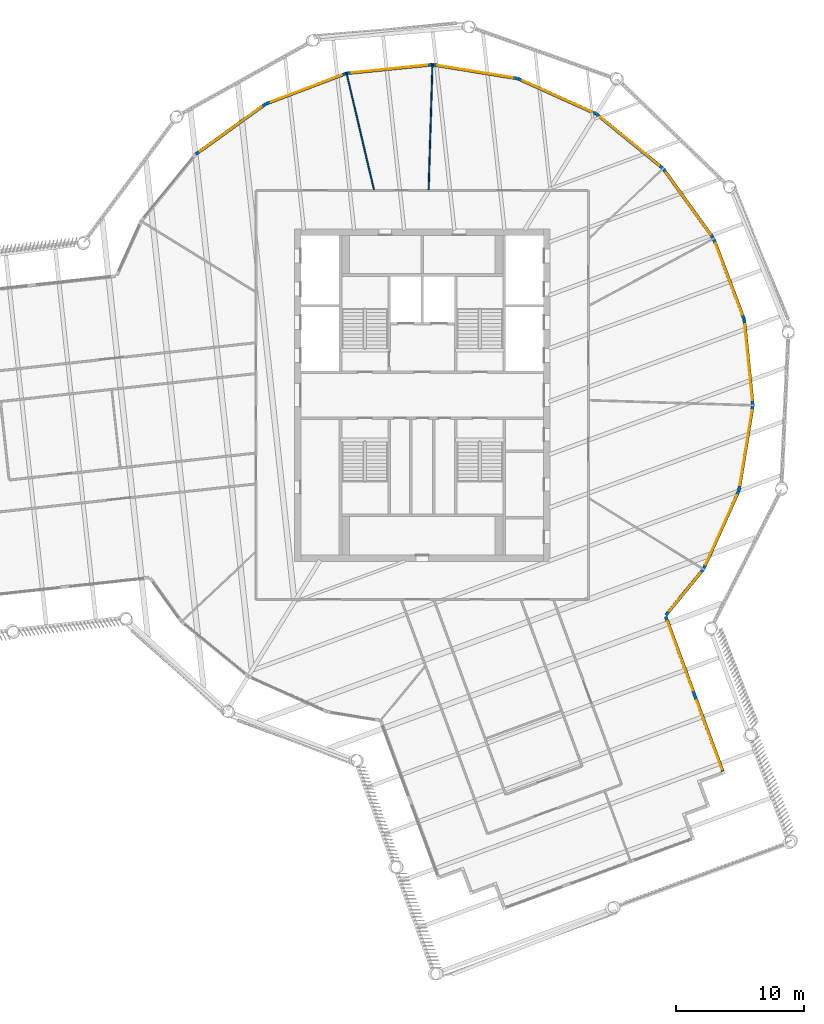
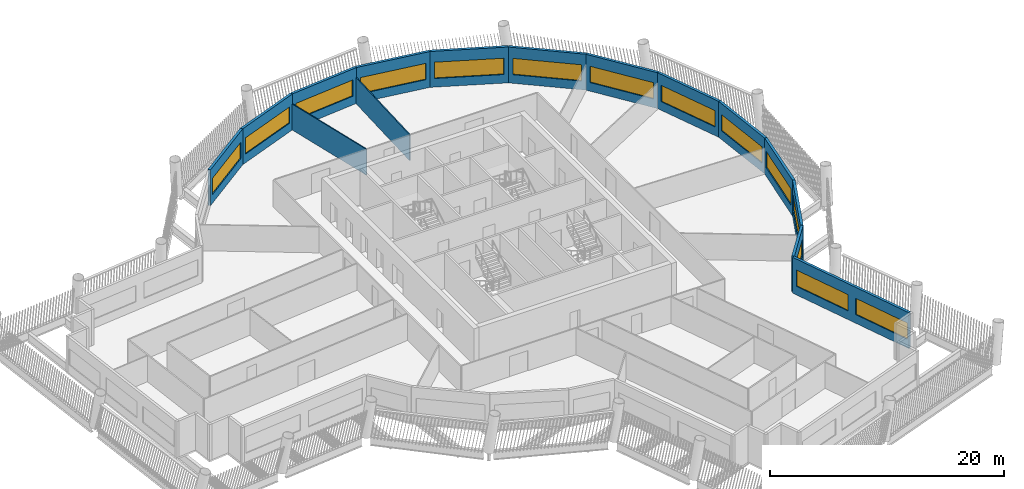
# One storey, part 6 of 14: 15 walls, 14 windows, 14 openings.
"""IFC4 building model written with IfcOpenShell, lengths in metres."""

from ifc_helpers import new_model, si_unit, direction, frame, frame_2d, origin, place, context, subcontext, project, spatial, rectangle, extrude, material, layer, layer_set, type_object, element, fill, save


model = new_model("IFC4")

# Units and contexts
model_context = context("Model", 3, precision=1e-05, world=origin(), true_north=direction((0.0, 1.0)))
body_context = subcontext(model_context, "Body", "Model", "MODEL_VIEW")
ifc_project = project(units=[si_unit("LENGTHUNIT", "METRE"), si_unit("AREAUNIT", "SQUARE_METRE"), si_unit("VOLUMEUNIT", "CUBIC_METRE"), si_unit("PLANEANGLEUNIT", "RADIAN"), si_unit("MASSUNIT", "GRAM", prefix="KILO")], contexts=[model_context])

# Site, building, storey
site_placement = place(None, origin())
site = spatial("IfcSite", under=ifc_project, at=site_placement, CompositionType="ELEMENT")
building_placement = place(site_placement, origin())
building = spatial("IfcBuilding", under=site, at=building_placement, Name="Tarsis Ring Headquarters", CompositionType="ELEMENT")
storey_placement = place(building_placement, frame((0.0, 0.0, 311.89990234375)))
storey = spatial("IfcBuildingStorey", under=building, at=storey_placement, Name="L73", CompositionType="ELEMENT", Elevation=311.89990234375)

# Walls
ifc_material_1 = material(Name="Gypsum board on steel studs", Category="steel")
ifc_layer_1 = layer(ifc_material_1, 0.10009765625)
ifc_layer_set_1 = layer_set([ifc_layer_1], Name="FL partition 100 unrated")
wall_type_1 = type_object("IfcWallType", Name="FL partition 100 unrated", PredefinedType="PARTITIONING", material=ifc_layer_set_1)
wall_1_placement = place(storey_placement, frame((0.493896484375, 16.070068359375, 0.0), z_axis=(0.0, 0.0, 1.0), x_axis=(0.030696507714, 0.999528751169, 0.0)))
element("IfcWall", 1, at=wall_1_placement, inside=storey, type_object=wall_type_1, Name="Partition PW3", PredefinedType="PARTITIONING", context=body_context, shape_type="SweptSolid", body=[
    extrude(rectangle(XDim=9.8701171875, YDim=0.10009765625, at=frame_2d((4.93505859375, 0.0))), origin(), (0.0, 0.0, 1.0), 2.7001953125),
])
wall_2_placement = place(storey_placement, frame((-5.94287109375, 25.258056640625, 0.0), z_axis=(0.0, 0.0, 1.0), x_axis=(0.229040775095, -0.973416829187, 0.0)))
element("IfcWall", 2, at=wall_2_placement, inside=storey, type_object=wall_type_1, Name="Partition PW3", PredefinedType="PARTITIONING", context=body_context, shape_type="SweptSolid", body=[
    extrude(rectangle(XDim=9.44091796875, YDim=0.10009765625, at=frame_2d((4.720458984375, 0.0))), origin(), (0.0, 0.0, 1.0), 2.7001953125),
])

# Wall, openings, windows
ifc_material_2 = material(Name="Terracotta clad insulated panel wall", Category="masonry")
ifc_layer_2 = layer(ifc_material_2, 0.25)
ifc_layer_set_2 = layer_set([ifc_layer_2], Name="Facade wall terracotta panel 250")
wall_type_2 = type_object("IfcWallType", Name="Facade wall terracotta panel 250", PredefinedType="STANDARD", material=ifc_layer_set_2)
wall_3_placement = place(storey_placement, frame((23.509521484375, -29.434326171875, 0.0), z_axis=(0.0, 0.0, 1.0), x_axis=(-0.345943878394, 0.938255206754, 0.0)))
wall_3 = element("IfcWall", 3, at=wall_3_placement, inside=storey, type_object=wall_type_2, Name="External wall L73-16", PredefinedType="STANDARD", context=body_context, shape_type="SweptSolid", body=[
    extrude(rectangle(XDim=12.9013671875, YDim=0.25, at=frame_2d((6.45068359375, 0.0))), origin(), (0.0, 0.0, 1.0), 3.739990234375),
])
opening_1_placement = place(wall_3_placement, frame((0.162841796875, 0.0, 0.89990234375)))
opening_1 = element("IfcOpeningElement", 4, at=opening_1_placement, cuts=wall_3, Name="Opening WN06", PredefinedType="OPENING", context=body_context, shape_type="SweptSolid", body=[
    extrude(rectangle(XDim=5.75, YDim=1.699951171875, at=frame_2d((2.875, 0.85009765625))), frame((0.0, 0.135009765625, 0.0), z_axis=(0.0, -1.0, 0.0), x_axis=(1.0, 0.0, 0.0)), (0.0, 0.0, 1.0), 0.27001953125),
])
opening_2_placement = place(wall_3_placement, frame((6.738525390625, 0.0, 0.89990234375)))
opening_2 = element("IfcOpeningElement", 5, at=opening_2_placement, cuts=wall_3, Name="Opening WN06", PredefinedType="OPENING", context=body_context, shape_type="SweptSolid", body=[
    extrude(rectangle(XDim=5.75, YDim=1.699951171875, at=frame_2d((2.875, 0.85009765625))), frame((0.0, 0.135009765625, 0.0), z_axis=(0.0, -1.0, 0.0), x_axis=(1.0, 0.0, 0.0)), (0.0, 0.0, 1.0), 0.27001953125),
])
ifc_material_3 = material(Name="Aluminium framed double glazing", Category="aluminium")
window_type_1 = type_object("IfcWindowType", Name="Facade window 5750 x 1700", PartitioningType="SINGLE_PANEL", PredefinedType="WINDOW", material=ifc_material_3)
window_1_placement = place(opening_1_placement, origin())
window_1 = element("IfcWindow", 6, at=window_1_placement, inside=storey, type_object=window_type_1, Name="Window L73-16.1", OverallHeight=1.699951171875, OverallWidth=5.75, PartitioningType="SINGLE_PANEL", PredefinedType="WINDOW", context=body_context, shape_type="SweptSolid", body=[
    extrude(rectangle(XDim=5.75, YDim=1.699951171875, at=frame_2d((2.875, 0.85009765625))), frame((0.0, 0.030029296875, 0.0), z_axis=(0.0, -1.0, 0.0), x_axis=(1.0, 0.0, 0.0)), (0.0, 0.0, 1.0), 0.06005859375),
])
fill(opening_1, window_1)
window_2_placement = place(opening_2_placement, origin())
window_2 = element("IfcWindow", 7, at=window_2_placement, inside=storey, type_object=window_type_1, Name="Window L73-16.2", OverallHeight=1.699951171875, OverallWidth=5.75, PartitioningType="SINGLE_PANEL", PredefinedType="WINDOW", context=body_context, shape_type="SweptSolid", body=[
    extrude(rectangle(XDim=5.75, YDim=1.699951171875, at=frame_2d((2.875, 0.85009765625))), frame((0.0, 0.030029296875, 0.0), z_axis=(0.0, -1.0, 0.0), x_axis=(1.0, 0.0, 0.0)), (0.0, 0.0, 1.0), 0.06005859375),
])
fill(opening_2, window_2)

# Wall, opening, window
wall_4_placement = place(storey_placement, frame((19.06689453125, -17.207275390625, 0.0), z_axis=(0.0, 0.0, 1.0), x_axis=(0.632849040374, 0.774275204367, 0.0)))
wall_4 = element("IfcWall", 8, at=wall_4_placement, inside=storey, type_object=wall_type_2, Name="External wall L73-17", PredefinedType="STANDARD", context=body_context, shape_type="SweptSolid", body=[
    extrude(rectangle(XDim=4.61767578125, YDim=0.25, at=frame_2d((2.308837890625, 0.0))), origin(), (0.0, 0.0, 1.0), 3.739990234375),
])
opening_3_placement = place(wall_4_placement, frame((0.400390625, 0.0, 0.89990234375)))
opening_3 = element("IfcOpeningElement", 9, at=opening_3_placement, cuts=wall_4, Name="Opening WN02", PredefinedType="OPENING", context=body_context, shape_type="SweptSolid", body=[
    extrude(rectangle(XDim=3.85009765625, YDim=1.699951171875, at=frame_2d((1.925048828125, 0.85009765625))), frame((0.0, 0.135009765625, 0.0), z_axis=(0.0, -1.0, 0.0), x_axis=(1.0, 0.0, 0.0)), (0.0, 0.0, 1.0), 0.27001953125),
])
window_type_2 = type_object("IfcWindowType", Name="Facade window 3850 x 1700", PartitioningType="SINGLE_PANEL", PredefinedType="WINDOW", material=ifc_material_3)
window_3_placement = place(opening_3_placement, origin())
window_3 = element("IfcWindow", 10, at=window_3_placement, inside=storey, type_object=window_type_2, Name="Window L73-17.1", OverallHeight=1.699951171875, OverallWidth=3.85009765625, PartitioningType="SINGLE_PANEL", PredefinedType="WINDOW", context=body_context, shape_type="SweptSolid", body=[
    extrude(rectangle(XDim=3.85009765625, YDim=1.699951171875, at=frame_2d((1.925048828125, 0.85009765625))), frame((0.0, 0.030029296875, 0.0), z_axis=(0.0, -1.0, 0.0), x_axis=(1.0, 0.0, 0.0)), (0.0, 0.0, 1.0), 0.06005859375),
])
fill(opening_3, window_3)

wall_5_placement = place(storey_placement, frame((22.00634765625, -13.60400390625, 0.0), z_axis=(0.0, 0.0, 1.0), x_axis=(0.410878108718, 0.911690287201, 0.0)))
wall_5 = element("IfcWall", 11, at=wall_5_placement, inside=storey, type_object=wall_type_2, Name="External wall L73-18", PredefinedType="STANDARD", context=body_context, shape_type="SweptSolid", body=[
    extrude(rectangle(XDim=6.721435546875, YDim=0.25, at=frame_2d((3.36083984375, 0.0))), origin(), (0.0, 0.0, 1.0), 3.739990234375),
])
opening_4_placement = place(wall_5_placement, frame((0.3857421875, 0.0, 0.89990234375)))
opening_4 = element("IfcOpeningElement", 12, at=opening_4_placement, cuts=wall_5, Name="Opening WN07", PredefinedType="OPENING", context=body_context, shape_type="SweptSolid", body=[
    extrude(rectangle(XDim=5.949951171875, YDim=1.699951171875, at=frame_2d((2.97509765625, 0.85009765625))), frame((0.0, 0.135009765625, 0.0), z_axis=(0.0, -1.0, 0.0), x_axis=(1.0, 0.0, 0.0)), (0.0, 0.0, 1.0), 0.27001953125),
])
window_type_3 = type_object("IfcWindowType", Name="Facade window 5950 x 1700", PartitioningType="SINGLE_PANEL", PredefinedType="WINDOW", material=ifc_material_3)
window_4_placement = place(opening_4_placement, origin())
window_4 = element("IfcWindow", 13, at=window_4_placement, inside=storey, type_object=window_type_3, Name="Window L73-18.1", OverallHeight=1.699951171875, OverallWidth=5.949951171875, PartitioningType="SINGLE_PANEL", PredefinedType="WINDOW", context=body_context, shape_type="SweptSolid", body=[
    extrude(rectangle(XDim=5.949951171875, YDim=1.699951171875, at=frame_2d((2.97509765625, 0.85009765625))), frame((0.0, 0.030029296875, 0.0), z_axis=(0.0, -1.0, 0.0), x_axis=(1.0, 0.0, 0.0)), (0.0, 0.0, 1.0), 0.06005859375),
])
fill(opening_4, window_4)

wall_6_placement = place(storey_placement, frame((24.777587890625, -7.44482421875, 0.0), z_axis=(0.0, 0.0, 1.0), x_axis=(0.160905182337, 0.986969868992, 0.0)))
wall_6 = element("IfcWall", 14, at=wall_6_placement, inside=storey, type_object=wall_type_2, Name="External wall L73-19", PredefinedType="STANDARD", context=body_context, shape_type="SweptSolid", body=[
    extrude(rectangle(XDim=6.7216796875, YDim=0.25, at=frame_2d((3.36083984375, 0.0))), origin(), (0.0, 0.0, 1.0), 3.739990234375),
])
opening_5_placement = place(wall_6_placement, frame((0.3857421875, 0.0, 0.89990234375)))
opening_5 = element("IfcOpeningElement", 15, at=opening_5_placement, cuts=wall_6, Name="Opening WN07", PredefinedType="OPENING", context=body_context, shape_type="SweptSolid", body=[
    extrude(rectangle(XDim=5.949951171875, YDim=1.699951171875, at=frame_2d((2.97509765625, 0.85009765625))), frame((0.0, 0.135009765625, 0.0), z_axis=(0.0, -1.0, 0.0), x_axis=(1.0, 0.0, 0.0)), (0.0, 0.0, 1.0), 0.27001953125),
])
window_5_placement = place(opening_5_placement, origin())
window_5 = element("IfcWindow", 16, at=window_5_placement, inside=storey, type_object=window_type_3, Name="Window L73-19.1", OverallHeight=1.699951171875, OverallWidth=5.949951171875, PartitioningType="SINGLE_PANEL", PredefinedType="WINDOW", context=body_context, shape_type="SweptSolid", body=[
    extrude(rectangle(XDim=5.949951171875, YDim=1.699951171875, at=frame_2d((2.97509765625, 0.85009765625))), frame((0.0, 0.030029296875, 0.0), z_axis=(0.0, -1.0, 0.0), x_axis=(1.0, 0.0, 0.0)), (0.0, 0.0, 1.0), 0.06005859375),
])
fill(opening_5, window_5)

wall_7_placement = place(storey_placement, frame((25.860107421875, -0.7783203125, 0.0), z_axis=(0.0, 0.0, 1.0), x_axis=(-0.100032360217, 0.994984184251, 0.0)))
wall_7 = element("IfcWall", 17, at=wall_7_placement, inside=storey, type_object=wall_type_2, Name="External wall L73-20", PredefinedType="STANDARD", context=body_context, shape_type="SweptSolid", body=[
    extrude(rectangle(XDim=6.721435546875, YDim=0.25, at=frame_2d((3.36083984375, 0.0))), origin(), (0.0, 0.0, 1.0), 3.739990234375),
])
opening_6_placement = place(wall_7_placement, frame((0.3857421875, 0.0, 0.89990234375)))
opening_6 = element("IfcOpeningElement", 18, at=opening_6_placement, cuts=wall_7, Name="Opening WN07", PredefinedType="OPENING", context=body_context, shape_type="SweptSolid", body=[
    extrude(rectangle(XDim=5.949951171875, YDim=1.699951171875, at=frame_2d((2.97509765625, 0.85009765625))), frame((0.0, 0.135009765625, 0.0), z_axis=(0.0, -1.0, 0.0), x_axis=(1.0, 0.0, 0.0)), (0.0, 0.0, 1.0), 0.27001953125),
])
window_6_placement = place(opening_6_placement, origin())
window_6 = element("IfcWindow", 19, at=window_6_placement, inside=storey, type_object=window_type_3, Name="Window L73-20.1", OverallHeight=1.699951171875, OverallWidth=5.949951171875, PartitioningType="SINGLE_PANEL", PredefinedType="WINDOW", context=body_context, shape_type="SweptSolid", body=[
    extrude(rectangle(XDim=5.949951171875, YDim=1.699951171875, at=frame_2d((2.97509765625, 0.85009765625))), frame((0.0, 0.030029296875, 0.0), z_axis=(0.0, -1.0, 0.0), x_axis=(1.0, 0.0, 0.0)), (0.0, 0.0, 1.0), 0.06005859375),
])
fill(opening_6, window_6)

wall_8_placement = place(storey_placement, frame((25.180419921875, 5.94140625, 0.0), z_axis=(0.0, 0.0, 1.0), x_axis=(-0.354142836509, 0.935191344779, 0.0)))
wall_8 = element("IfcWall", 20, at=wall_8_placement, inside=storey, type_object=wall_type_2, Name="External wall L73-21", PredefinedType="STANDARD", context=body_context, shape_type="SweptSolid", body=[
    extrude(rectangle(XDim=6.721435546875, YDim=0.25, at=frame_2d((3.36083984375, 0.0))), origin(), (0.0, 0.0, 1.0), 3.739990234375),
])
opening_7_placement = place(wall_8_placement, frame((0.3857421875, 0.0, 0.89990234375)))
opening_7 = element("IfcOpeningElement", 21, at=opening_7_placement, cuts=wall_8, Name="Opening WN07", PredefinedType="OPENING", context=body_context, shape_type="SweptSolid", body=[
    extrude(rectangle(XDim=5.949951171875, YDim=1.699951171875, at=frame_2d((2.97509765625, 0.85009765625))), frame((0.0, 0.135009765625, 0.0), z_axis=(0.0, -1.0, 0.0), x_axis=(1.0, 0.0, 0.0)), (0.0, 0.0, 1.0), 0.27001953125),
])
window_7_placement = place(opening_7_placement, origin())
window_7 = element("IfcWindow", 22, at=window_7_placement, inside=storey, type_object=window_type_3, Name="Window L73-21.1", OverallHeight=1.699951171875, OverallWidth=5.949951171875, PartitioningType="SINGLE_PANEL", PredefinedType="WINDOW", context=body_context, shape_type="SweptSolid", body=[
    extrude(rectangle(XDim=5.949951171875, YDim=1.699951171875, at=frame_2d((2.97509765625, 0.85009765625))), frame((0.0, 0.030029296875, 0.0), z_axis=(0.0, -1.0, 0.0), x_axis=(1.0, 0.0, 0.0)), (0.0, 0.0, 1.0), 0.06005859375),
])
fill(opening_7, window_7)

wall_9_placement = place(storey_placement, frame((22.78466796875, 12.256103515625, 0.0), z_axis=(0.0, 0.0, 1.0), x_axis=(-0.584134392635, 0.811656954224, 0.0)))
wall_9 = element("IfcWall", 23, at=wall_9_placement, inside=storey, type_object=wall_type_2, Name="External wall L73-22", PredefinedType="STANDARD", context=body_context, shape_type="SweptSolid", body=[
    extrude(rectangle(XDim=6.721435546875, YDim=0.25, at=frame_2d((3.36083984375, 0.0))), origin(), (0.0, 0.0, 1.0), 3.739990234375),
])
opening_8_placement = place(wall_9_placement, frame((0.3857421875, 0.0, 0.89990234375)))
opening_8 = element("IfcOpeningElement", 24, at=opening_8_placement, cuts=wall_9, Name="Opening WN07", PredefinedType="OPENING", context=body_context, shape_type="SweptSolid", body=[
    extrude(rectangle(XDim=5.949951171875, YDim=1.699951171875, at=frame_2d((2.97509765625, 0.85009765625))), frame((0.0, 0.135009765625, 0.0), z_axis=(0.0, -1.0, 0.0), x_axis=(1.0, 0.0, 0.0)), (0.0, 0.0, 1.0), 0.27001953125),
])
window_8_placement = place(opening_8_placement, origin())
window_8 = element("IfcWindow", 25, at=window_8_placement, inside=storey, type_object=window_type_3, Name="Window L73-22.1", OverallHeight=1.699951171875, OverallWidth=5.949951171875, PartitioningType="SINGLE_PANEL", PredefinedType="WINDOW", context=body_context, shape_type="SweptSolid", body=[
    extrude(rectangle(XDim=5.949951171875, YDim=1.699951171875, at=frame_2d((2.97509765625, 0.85009765625))), frame((0.0, 0.030029296875, 0.0), z_axis=(0.0, -1.0, 0.0), x_axis=(1.0, 0.0, 0.0)), (0.0, 0.0, 1.0), 0.06005859375),
])
fill(opening_8, window_8)

wall_10_placement = place(storey_placement, frame((18.836181640625, 17.735595703125, 0.0), z_axis=(0.0, 0.0, 1.0), x_axis=(-0.774280861493, 0.632842118957, 0.0)))
wall_10 = element("IfcWall", 26, at=wall_10_placement, inside=storey, type_object=wall_type_2, Name="External wall L73-23", PredefinedType="STANDARD", context=body_context, shape_type="SweptSolid", body=[
    extrude(rectangle(XDim=6.721435546875, YDim=0.25, at=frame_2d((3.36083984375, 0.0))), origin(), (0.0, 0.0, 1.0), 3.739990234375),
])
opening_9_placement = place(wall_10_placement, frame((0.3857421875, 0.0, 0.89990234375)))
opening_9 = element("IfcOpeningElement", 27, at=opening_9_placement, cuts=wall_10, Name="Opening WN07", PredefinedType="OPENING", context=body_context, shape_type="SweptSolid", body=[
    extrude(rectangle(XDim=5.949951171875, YDim=1.699951171875, at=frame_2d((2.97509765625, 0.85009765625))), frame((0.0, 0.135009765625, 0.0), z_axis=(0.0, -1.0, 0.0), x_axis=(1.0, 0.0, 0.0)), (0.0, 0.0, 1.0), 0.27001953125),
])
window_9_placement = place(opening_9_placement, origin())
window_9 = element("IfcWindow", 28, at=window_9_placement, inside=storey, type_object=window_type_3, Name="Window L73-23.1", OverallHeight=1.699951171875, OverallWidth=5.949951171875, PartitioningType="SINGLE_PANEL", PredefinedType="WINDOW", context=body_context, shape_type="SweptSolid", body=[
    extrude(rectangle(XDim=5.949951171875, YDim=1.699951171875, at=frame_2d((2.97509765625, 0.85009765625))), frame((0.0, 0.030029296875, 0.0), z_axis=(0.0, -1.0, 0.0), x_axis=(1.0, 0.0, 0.0)), (0.0, 0.0, 1.0), 0.06005859375),
])
fill(opening_9, window_9)

wall_11_placement = place(storey_placement, frame((13.60400390625, 22.00634765625, 0.0), z_axis=(0.0, 0.0, 1.0), x_axis=(-0.911690287201, 0.410878108718, 0.0)))
wall_11 = element("IfcWall", 29, at=wall_11_placement, inside=storey, type_object=wall_type_2, Name="External wall L73-24", PredefinedType="STANDARD", context=body_context, shape_type="SweptSolid", body=[
    extrude(rectangle(XDim=6.721435546875, YDim=0.25, at=frame_2d((3.36083984375, 0.0))), origin(), (0.0, 0.0, 1.0), 3.739990234375),
])
opening_10_placement = place(wall_11_placement, frame((0.3857421875, 0.0, 0.89990234375)))
opening_10 = element("IfcOpeningElement", 30, at=opening_10_placement, cuts=wall_11, Name="Opening WN07", PredefinedType="OPENING", context=body_context, shape_type="SweptSolid", body=[
    extrude(rectangle(XDim=5.949951171875, YDim=1.699951171875, at=frame_2d((2.97509765625, 0.85009765625))), frame((0.0, 0.135009765625, 0.0), z_axis=(0.0, -1.0, 0.0), x_axis=(1.0, 0.0, 0.0)), (0.0, 0.0, 1.0), 0.27001953125),
])
window_10_placement = place(opening_10_placement, origin())
window_10 = element("IfcWindow", 31, at=window_10_placement, inside=storey, type_object=window_type_3, Name="Window L73-24.1", OverallHeight=1.699951171875, OverallWidth=5.949951171875, PartitioningType="SINGLE_PANEL", PredefinedType="WINDOW", context=body_context, shape_type="SweptSolid", body=[
    extrude(rectangle(XDim=5.949951171875, YDim=1.699951171875, at=frame_2d((2.97509765625, 0.85009765625))), frame((0.0, 0.030029296875, 0.0), z_axis=(0.0, -1.0, 0.0), x_axis=(1.0, 0.0, 0.0)), (0.0, 0.0, 1.0), 0.06005859375),
])
fill(opening_10, window_10)

wall_12_placement = place(storey_placement, frame((7.44482421875, 24.777587890625, 0.0), z_axis=(0.0, 0.0, 1.0), x_axis=(-0.986969868992, 0.160905182337, 0.0)))
wall_12 = element("IfcWall", 32, at=wall_12_placement, inside=storey, type_object=wall_type_2, Name="External wall L73-25", PredefinedType="STANDARD", context=body_context, shape_type="SweptSolid", body=[
    extrude(rectangle(XDim=6.7216796875, YDim=0.25, at=frame_2d((3.36083984375, 0.0))), origin(), (0.0, 0.0, 1.0), 3.739990234375),
])
opening_11_placement = place(wall_12_placement, frame((0.3857421875, 0.0, 0.89990234375)))
opening_11 = element("IfcOpeningElement", 33, at=opening_11_placement, cuts=wall_12, Name="Opening WN07", PredefinedType="OPENING", context=body_context, shape_type="SweptSolid", body=[
    extrude(rectangle(XDim=5.949951171875, YDim=1.699951171875, at=frame_2d((2.97509765625, 0.85009765625))), frame((0.0, 0.135009765625, 0.0), z_axis=(0.0, -1.0, 0.0), x_axis=(1.0, 0.0, 0.0)), (0.0, 0.0, 1.0), 0.27001953125),
])
window_11_placement = place(opening_11_placement, origin())
window_11 = element("IfcWindow", 34, at=window_11_placement, inside=storey, type_object=window_type_3, Name="Window L73-25.1", OverallHeight=1.699951171875, OverallWidth=5.949951171875, PartitioningType="SINGLE_PANEL", PredefinedType="WINDOW", context=body_context, shape_type="SweptSolid", body=[
    extrude(rectangle(XDim=5.949951171875, YDim=1.699951171875, at=frame_2d((2.97509765625, 0.85009765625))), frame((0.0, 0.030029296875, 0.0), z_axis=(0.0, -1.0, 0.0), x_axis=(1.0, 0.0, 0.0)), (0.0, 0.0, 1.0), 0.06005859375),
])
fill(opening_11, window_11)

wall_13_placement = place(storey_placement, frame((0.7783203125, 25.860107421875, 0.0), z_axis=(0.0, 0.0, 1.0), x_axis=(-0.994984184251, -0.100032360217, 0.0)))
wall_13 = element("IfcWall", 35, at=wall_13_placement, inside=storey, type_object=wall_type_2, Name="External wall L73-26", PredefinedType="STANDARD", context=body_context, shape_type="SweptSolid", body=[
    extrude(rectangle(XDim=6.721435546875, YDim=0.25, at=frame_2d((3.36083984375, 0.0))), origin(), (0.0, 0.0, 1.0), 3.739990234375),
])
opening_12_placement = place(wall_13_placement, frame((0.3857421875, 0.0, 0.89990234375)))
opening_12 = element("IfcOpeningElement", 36, at=opening_12_placement, cuts=wall_13, Name="Opening WN07", PredefinedType="OPENING", context=body_context, shape_type="SweptSolid", body=[
    extrude(rectangle(XDim=5.949951171875, YDim=1.699951171875, at=frame_2d((2.97509765625, 0.85009765625))), frame((0.0, 0.135009765625, 0.0), z_axis=(0.0, -1.0, 0.0), x_axis=(1.0, 0.0, 0.0)), (0.0, 0.0, 1.0), 0.27001953125),
])
window_12_placement = place(opening_12_placement, origin())
window_12 = element("IfcWindow", 37, at=window_12_placement, inside=storey, type_object=window_type_3, Name="Window L73-26.1", OverallHeight=1.699951171875, OverallWidth=5.949951171875, PartitioningType="SINGLE_PANEL", PredefinedType="WINDOW", context=body_context, shape_type="SweptSolid", body=[
    extrude(rectangle(XDim=5.949951171875, YDim=1.699951171875, at=frame_2d((2.97509765625, 0.85009765625))), frame((0.0, 0.030029296875, 0.0), z_axis=(0.0, -1.0, 0.0), x_axis=(1.0, 0.0, 0.0)), (0.0, 0.0, 1.0), 0.06005859375),
])
fill(opening_12, window_12)

wall_14_placement = place(storey_placement, frame((-5.94140625, 25.180419921875, 0.0), z_axis=(0.0, 0.0, 1.0), x_axis=(-0.935191344779, -0.354142836509, 0.0)))
wall_14 = element("IfcWall", 38, at=wall_14_placement, inside=storey, type_object=wall_type_2, Name="External wall L73-27", PredefinedType="STANDARD", context=body_context, shape_type="SweptSolid", body=[
    extrude(rectangle(XDim=6.721435546875, YDim=0.25, at=frame_2d((3.36083984375, 0.0))), origin(), (0.0, 0.0, 1.0), 3.739990234375),
])
opening_13_placement = place(wall_14_placement, frame((0.3857421875, 0.0, 0.89990234375)))
opening_13 = element("IfcOpeningElement", 39, at=opening_13_placement, cuts=wall_14, Name="Opening WN07", PredefinedType="OPENING", context=body_context, shape_type="SweptSolid", body=[
    extrude(rectangle(XDim=5.949951171875, YDim=1.699951171875, at=frame_2d((2.97509765625, 0.85009765625))), frame((0.0, 0.135009765625, 0.0), z_axis=(0.0, -1.0, 0.0), x_axis=(1.0, 0.0, 0.0)), (0.0, 0.0, 1.0), 0.27001953125),
])
window_13_placement = place(opening_13_placement, origin())
window_13 = element("IfcWindow", 40, at=window_13_placement, inside=storey, type_object=window_type_3, Name="Window L73-27.1", OverallHeight=1.699951171875, OverallWidth=5.949951171875, PartitioningType="SINGLE_PANEL", PredefinedType="WINDOW", context=body_context, shape_type="SweptSolid", body=[
    extrude(rectangle(XDim=5.949951171875, YDim=1.699951171875, at=frame_2d((2.97509765625, 0.85009765625))), frame((0.0, 0.030029296875, 0.0), z_axis=(0.0, -1.0, 0.0), x_axis=(1.0, 0.0, 0.0)), (0.0, 0.0, 1.0), 0.06005859375),
])
fill(opening_13, window_13)

wall_15_placement = place(storey_placement, frame((-12.256103515625, 22.78466796875, 0.0), z_axis=(0.0, 0.0, 1.0), x_axis=(-0.811656954224, -0.584134392635, 0.0)))
wall_15 = element("IfcWall", 41, at=wall_15_placement, inside=storey, type_object=wall_type_2, Name="External wall L73-28", PredefinedType="STANDARD", context=body_context, shape_type="SweptSolid", body=[
    extrude(rectangle(XDim=6.721435546875, YDim=0.25, at=frame_2d((3.36083984375, 0.0))), origin(), (0.0, 0.0, 1.0), 3.739990234375),
])
opening_14_placement = place(wall_15_placement, frame((0.3857421875, 0.0, 0.89990234375)))
opening_14 = element("IfcOpeningElement", 42, at=opening_14_placement, cuts=wall_15, Name="Opening WN07", PredefinedType="OPENING", context=body_context, shape_type="SweptSolid", body=[
    extrude(rectangle(XDim=5.949951171875, YDim=1.699951171875, at=frame_2d((2.97509765625, 0.85009765625))), frame((0.0, 0.135009765625, 0.0), z_axis=(0.0, -1.0, 0.0), x_axis=(1.0, 0.0, 0.0)), (0.0, 0.0, 1.0), 0.27001953125),
])
window_14_placement = place(opening_14_placement, origin())
window_14 = element("IfcWindow", 43, at=window_14_placement, inside=storey, type_object=window_type_3, Name="Window L73-28.1", OverallHeight=1.699951171875, OverallWidth=5.949951171875, PartitioningType="SINGLE_PANEL", PredefinedType="WINDOW", context=body_context, shape_type="SweptSolid", body=[
    extrude(rectangle(XDim=5.949951171875, YDim=1.699951171875, at=frame_2d((2.97509765625, 0.85009765625))), frame((0.0, 0.030029296875, 0.0), z_axis=(0.0, -1.0, 0.0), x_axis=(1.0, 0.0, 0.0)), (0.0, 0.0, 1.0), 0.06005859375),
])
fill(opening_14, window_14)

save(model, "model.ifc")
